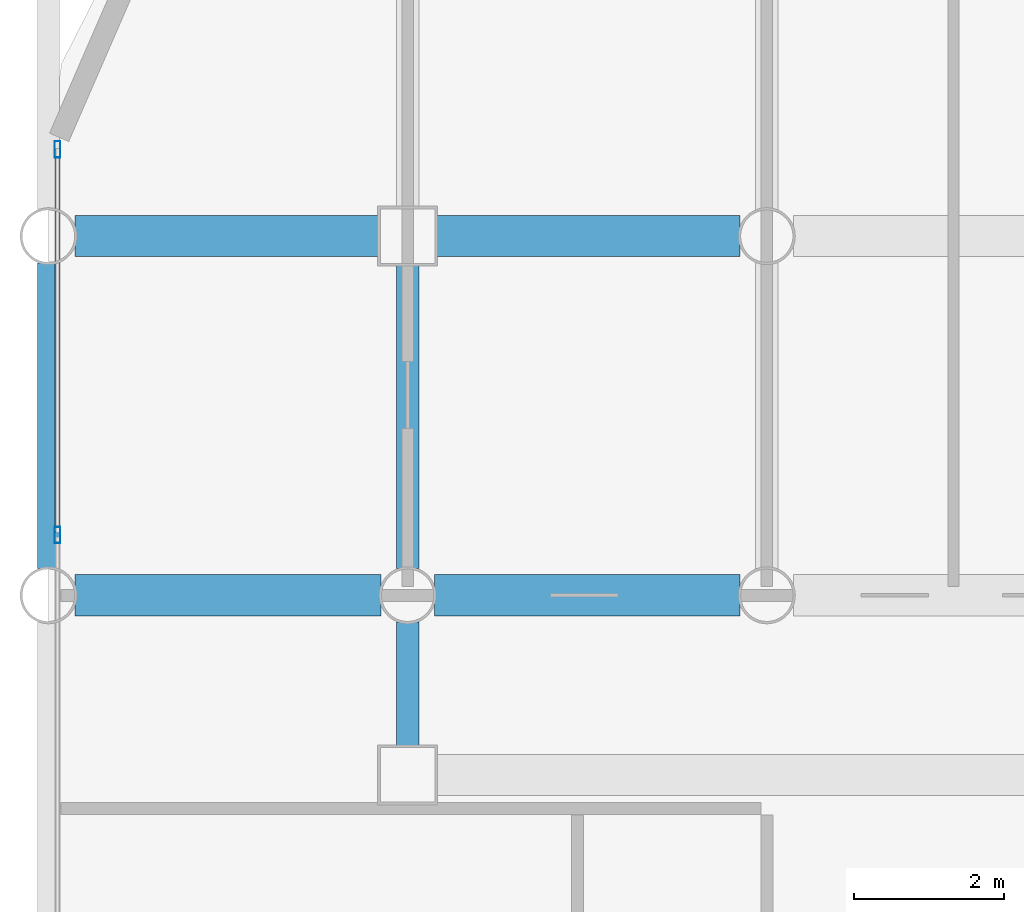
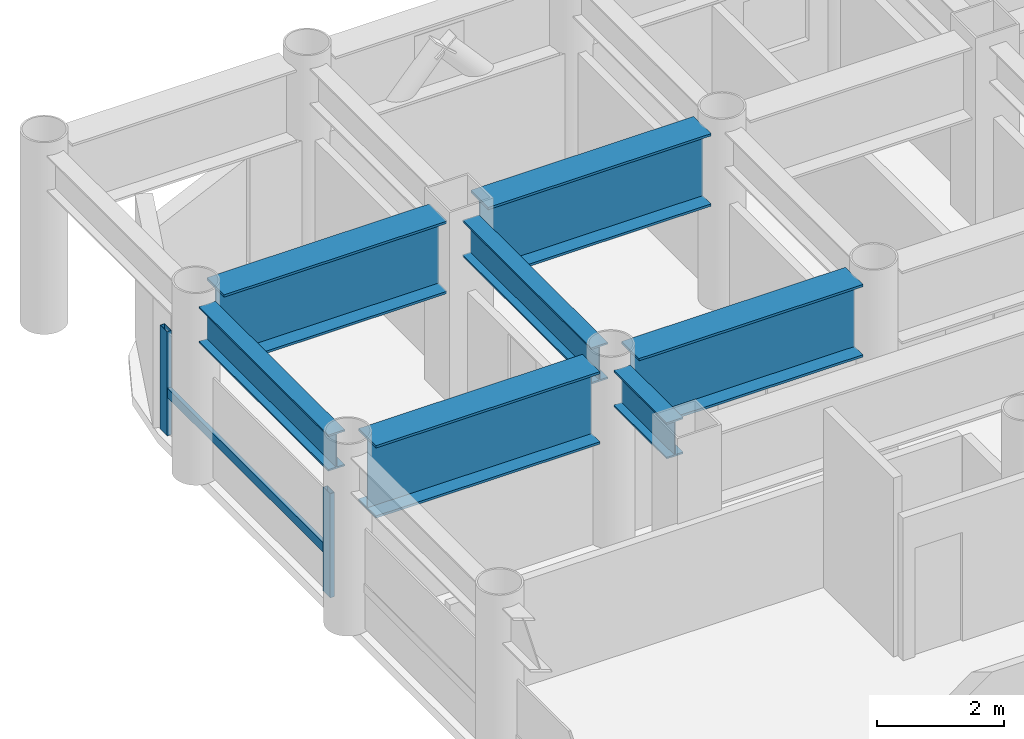
# One storey, part 9 of 21: 7 beams, 3 members, 1 element without a shape of its own.
"""IFC4 building model written with IfcOpenShell, lengths in metres."""

from ifc_helpers import new_model, si_unit, direction, frame, origin, origin_2d, place, context, subcontext, project, spatial, hollow_rectangle, i_section, extrude, material, layer, layer_set, material_profile, profile_set, type_object, element, aggregate, save


model = new_model("IFC4")

# Units and contexts
model_context = context("Model", 3, precision=1e-05, world=origin(), true_north=direction((0.0, 1.0)))
body_context = subcontext(model_context, "Body", "Model", "MODEL_VIEW")
ifc_project = project(units=[si_unit("LENGTHUNIT", "METRE"), si_unit("AREAUNIT", "SQUARE_METRE"), si_unit("VOLUMEUNIT", "CUBIC_METRE"), si_unit("PLANEANGLEUNIT", "RADIAN"), si_unit("MASSUNIT", "GRAM", prefix="KILO")], contexts=[model_context])

# Site, building, storey
site_placement = place(None, origin())
site = spatial("IfcSite", under=ifc_project, at=site_placement, CompositionType="ELEMENT")
building_placement = place(site_placement, origin())
building = spatial("IfcBuilding", under=site, at=building_placement, Name="Kallvorn Hotel Tower", CompositionType="ELEMENT")
storey_placement = place(building_placement, frame((0.0, 0.0, 85.5)))
storey = spatial("IfcBuildingStorey", under=building, at=storey_placement, Name="L20", CompositionType="ELEMENT", Elevation=85.5)

# Beams
ifc_material_1 = material(Name="Structural steel S355JR", Category="steel")
ifc_material_profile_1 = material_profile(ifc_material_1, i_section(OverallWidth=0.300048828125, OverallDepth=0.699951171875, WebThickness=0.01708984375, FlangeThickness=0.031982421875, at=origin_2d()), Name="HE 700 B")
ifc_profile_set_1 = profile_set([ifc_material_profile_1], Name="Structural steel S355JR")
beam_type_1 = type_object("IfcBeamType", Name="BM_HE700B", PredefinedType="BEAM", material=ifc_profile_set_1)
beam_1_placement = place(storey_placement, frame((-28.800048828125, 9.9560546875, 3.10009765625), z_axis=(0.0, 1.0, 0.0), x_axis=(-1.0, 0.0, 0.0)))
element("IfcBeam", 1, at=beam_1_placement, inside=storey, type_object=beam_type_1, Name="L21 Primary Y-Girder 79", PredefinedType="BEAM", context=body_context, shape_type="SweptSolid", body=[
    extrude(i_section(OverallWidth=0.300048828125, OverallDepth=0.699951171875, WebThickness=0.01708984375, FlangeThickness=0.031982421875, at=origin_2d()), origin(), (0.0, 0.0, 1.0), 4.087890625),
])
beam_2_placement = place(storey_placement, frame((-24.0, 7.574951171875, 3.10009765625), z_axis=(0.0, 1.0, 0.0), x_axis=(-1.0, 0.0, 0.0)))
element("IfcBeam", 2, at=beam_2_placement, inside=storey, type_object=beam_type_1, Name="L21 Primary Y-Girder 85", PredefinedType="BEAM", context=body_context, shape_type="SweptSolid", body=[
    extrude(i_section(OverallWidth=0.300048828125, OverallDepth=0.699951171875, WebThickness=0.01708984375, FlangeThickness=0.031982421875, at=origin_2d()), origin(), (0.0, 0.0, 1.0), 1.6689453125),
])
beam_3_placement = place(storey_placement, frame((-24.0, 9.9560546875, 3.10009765625), z_axis=(0.0, 1.0, 0.0), x_axis=(-1.0, 0.0, 0.0)))
element("IfcBeam", 3, at=beam_3_placement, inside=storey, type_object=beam_type_1, Name="L21 Primary Y-Girder 86", PredefinedType="BEAM", context=body_context, shape_type="SweptSolid", body=[
    extrude(i_section(OverallWidth=0.300048828125, OverallDepth=0.699951171875, WebThickness=0.01708984375, FlangeThickness=0.031982421875, at=origin_2d()), origin(), (0.0, 0.0, 1.0), 4.06884765625),
])
ifc_material_2 = material(Name="Structural steel S355JR", Category="steel")
ifc_material_profile_2 = material_profile(ifc_material_2, i_section(OverallWidth=0.550048828125, OverallDepth=1.39990234375, WebThickness=0.02490234375, FlangeThickness=0.044921875, at=origin_2d()), Name="PG 1400x550x25x45")
ifc_profile_set_2 = profile_set([ifc_material_profile_2], Name="Structural steel S355JR")
beam_type_2 = type_object("IfcBeamType", Name="BM_PG_1400", PredefinedType="BEAM", material=ifc_profile_set_2)
for number, where, z_axis, x_axis, name in (
    (4, (-28.444091796875, 9.60009765625, 2.75), (1.0, 0.0, 0.0), (0.0, 1.0, 0.0), "L21 Primary X-Girder 42"),
    (5, (-23.64404296875, 9.60009765625, 2.75), (1.0, 0.0, 0.0), (0.0, 1.0, 0.0), "L21 Primary X-Girder 43"),
):
    element("IfcBeam", number, at=place(storey_placement, frame(where, z_axis=z_axis, x_axis=x_axis)), inside=storey, type_object=beam_type_2, Name=name, PredefinedType="BEAM", context=body_context, shape_type="SweptSolid", body=[
        extrude(i_section(OverallWidth=0.550048828125, OverallDepth=1.39990234375, WebThickness=0.02490234375, FlangeThickness=0.044921875, at=origin_2d()), origin(), (0.0, 0.0, 1.0), 4.088134765625),
    ])
for number, where, z_axis, x_axis, name in (
    (6, (-28.444091796875, 14.39990234375, 2.75), (1.0, 0.0, 0.0), (0.0, 1.0, 0.0), "L21 Primary X-Girder 51"),
    (7, (-23.625, 14.39990234375, 2.75), (1.0, 0.0, 0.0), (0.0, 1.0, 0.0), "L21 Primary X-Girder 52"),
):
    element("IfcBeam", number, at=place(storey_placement, frame(where, z_axis=z_axis, x_axis=x_axis)), inside=storey, type_object=beam_type_2, Name=name, PredefinedType="BEAM", context=body_context, shape_type="SweptSolid", body=[
        extrude(i_section(OverallWidth=0.550048828125, OverallDepth=1.39990234375, WebThickness=0.02490234375, FlangeThickness=0.044921875, at=origin_2d()), origin(), (0.0, 0.0, 1.0), 4.069091796875),
    ])

# Curtain wall, members
ifc_material_3 = material(Name="Thermally broken black-anodised aluminium AA 6063-T6", Category="aluminium")
ifc_layer = layer(ifc_material_3, 0.199951171875)
ifc_layer_set = layer_set([ifc_layer], Name="CW_SYS_3_HOTEL_LOW")
curtain_wall_type = type_object("IfcCurtainWallType", Name="CW_SYS_3_HOTEL_LOW", PredefinedType="USERDEFINED", material=ifc_layer_set)
curtain_wall_placement = place(storey_placement, origin())
curtain_wall = element("IfcCurtainWall", 8, at=curtain_wall_placement, inside=storey, type_object=curtain_wall_type, Name="L20 Dark-Glass Curtain Wall CW-L20-WN", ObjectType="UNITISED CURTAIN WALL", PredefinedType="USERDEFINED")
ifc_material_4 = material(Name="Thermally broken black-anodised aluminium AA 6063-T6", Category="aluminium")
ifc_material_profile_3 = material_profile(ifc_material_4, hollow_rectangle(XDim=0.080078125, YDim=0.219970703125, WallThickness=0.0048828125, at=origin_2d()), Name="MUL 220x80")
ifc_profile_set_3 = profile_set([ifc_material_profile_3], Name="Thermally broken black-anodised aluminium AA 6063-T6")
member_type_1 = type_object("IfcMemberType", Name="CW_MULLION_220x80", PredefinedType="MULLION", material=ifc_profile_set_3)
member_1_placement = place(storey_placement, frame((-28.679931640625, 10.40673828125, 0.02001953125), z_axis=(0.0, 0.0, 1.0), x_axis=(1.0, 0.0, 0.0)))
member_1 = element("IfcMember", 9, at=member_1_placement, type_object=member_type_1, Name="CW-L20-WN Mullion 02", PredefinedType="MULLION", context=body_context, shape_type="SweptSolid", body=[
    extrude(hollow_rectangle(XDim=0.080078125, YDim=0.219970703125, WallThickness=0.0048828125, at=origin_2d()), origin(), (0.0, 0.0, 1.0), 2.010009765625),
])
member_2_placement = place(storey_placement, frame((-28.679931640625, 15.56005859375, 0.02001953125), z_axis=(0.0, 0.0, 1.0), x_axis=(1.0, 0.0, 0.0)))
member_2 = element("IfcMember", 10, at=member_2_placement, type_object=member_type_1, Name="CW-L20-WN Mullion 03", PredefinedType="MULLION", context=body_context, shape_type="SweptSolid", body=[
    extrude(hollow_rectangle(XDim=0.080078125, YDim=0.219970703125, WallThickness=0.0048828125, at=origin_2d()), origin(), (0.0, 0.0, 1.0), 2.010009765625),
])
ifc_material_5 = material(Name="Thermally broken black-anodised aluminium AA 6063-T6", Category="aluminium")
ifc_material_profile_4 = material_profile(ifc_material_5, hollow_rectangle(XDim=0.070068359375, YDim=0.179931640625, WallThickness=0.00390625, at=origin_2d()), Name="TRN 180x70")
ifc_profile_set_4 = profile_set([ifc_material_profile_4], Name="Thermally broken black-anodised aluminium AA 6063-T6")
member_type_2 = type_object("IfcMemberType", Name="CW_TRANSOM_180x70", PredefinedType="USERDEFINED", material=ifc_profile_set_4)
member_3_placement = place(storey_placement, frame((-28.679931640625, 10.44677734375, 0.85009765625), z_axis=(0.0, 1.0, 0.0), x_axis=(-1.0, 0.0, 0.0)))
member_3 = element("IfcMember", 11, at=member_3_placement, type_object=member_type_2, Name="CW-L20-WN Transom 02M", ObjectType="TRANSOM", PredefinedType="USERDEFINED", context=body_context, shape_type="SweptSolid", body=[
    extrude(hollow_rectangle(XDim=0.070068359375, YDim=0.179931640625, WallThickness=0.00390625, at=origin_2d()), origin(), (0.0, 0.0, 1.0), 5.11328125),
])
aggregate(curtain_wall, [member_1, member_2, member_3])

save(model, "model.ifc")
